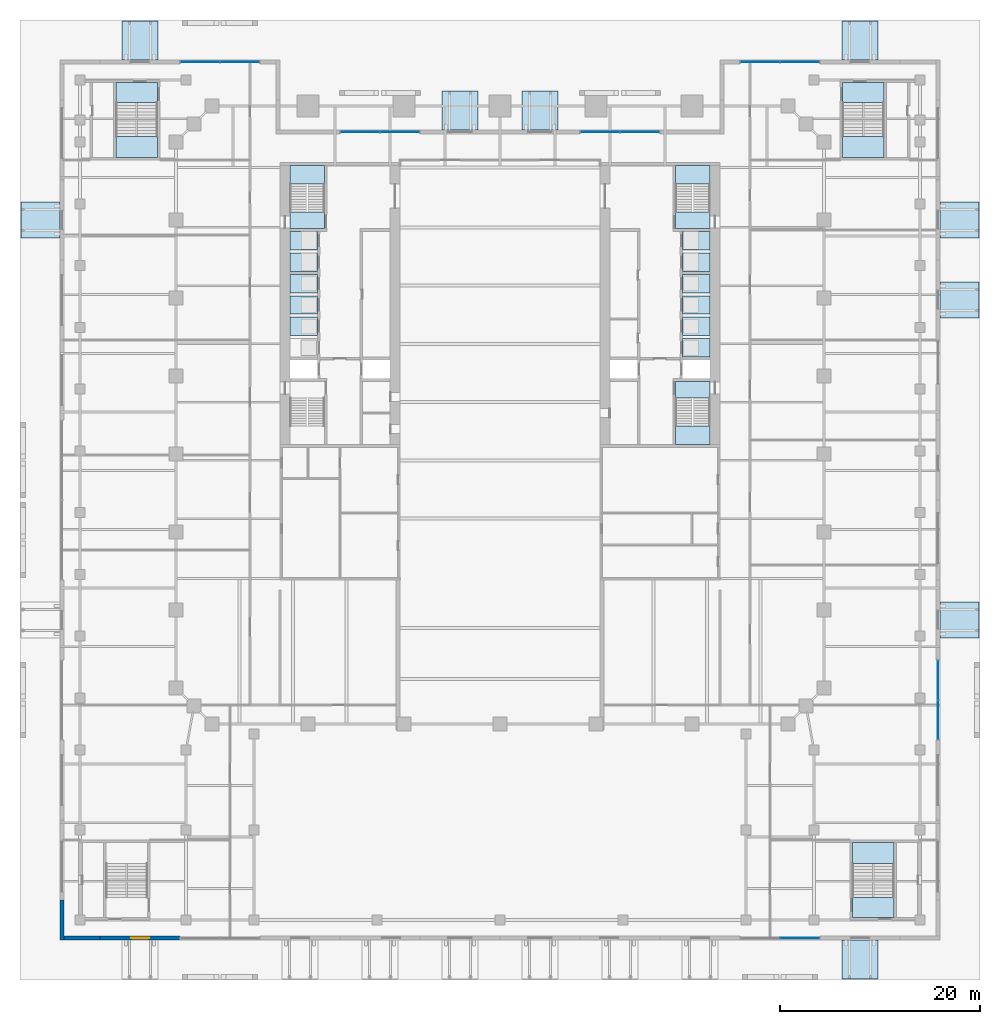
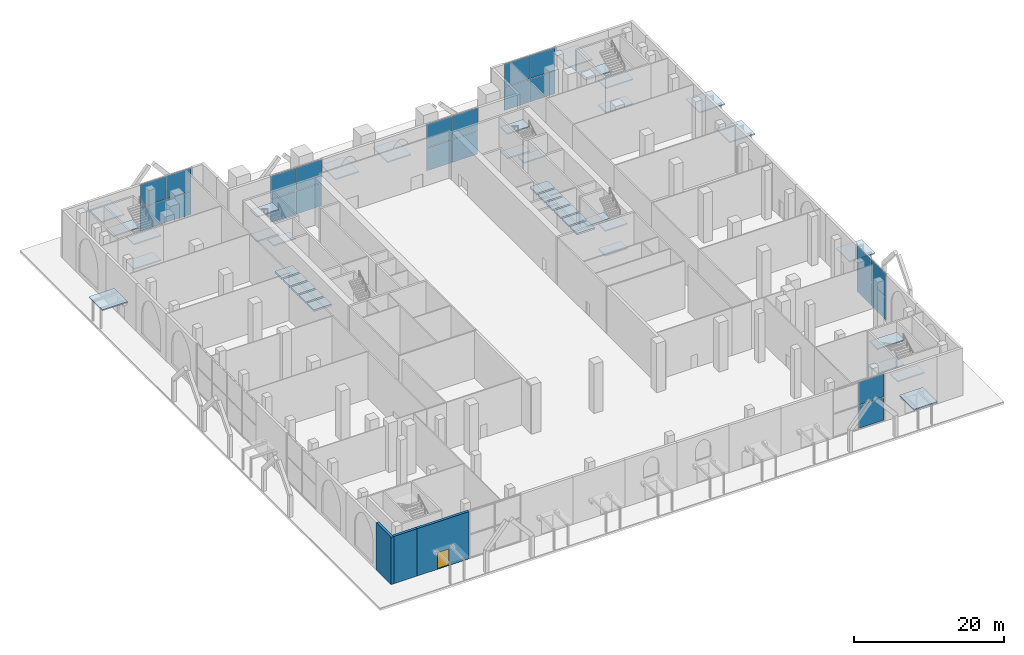
# One storey, part 26 of 38: 38 slabs, 22 plates, 3 walls, 1 door, 1 opening, 12 elements without a shape of their own.
"""IFC4 building model written with IfcOpenShell, lengths in metres."""

from ifc_helpers import new_model, si_unit, direction, frame, frame_2d, origin, origin_2d, place, context, subcontext, project, spatial, polyline, rectangle, outline, extrude, material, layer, layer_set, type_object, element, fill, aggregate, save


model = new_model("IFC4")

# Units and contexts
model_context = context("Model", 3, precision=1e-05, world=origin(), true_north=direction((0.0, 1.0)))
body_context = subcontext(model_context, "Body", "Model", "MODEL_VIEW")
ifc_project = project(units=[si_unit("LENGTHUNIT", "METRE"), si_unit("AREAUNIT", "SQUARE_METRE"), si_unit("VOLUMEUNIT", "CUBIC_METRE"), si_unit("PLANEANGLEUNIT", "RADIAN"), si_unit("MASSUNIT", "GRAM", prefix="KILO")], contexts=[model_context])

# Site, building, storey
site_placement = place(None, origin())
site = spatial("IfcSite", under=ifc_project, at=site_placement, CompositionType="ELEMENT")
building_placement = place(site_placement, origin())
building = spatial("IfcBuilding", under=site, at=building_placement, Name="Ogive Exchange Tower", CompositionType="ELEMENT")
storey_placement = place(building_placement, origin())
storey = spatial("IfcBuildingStorey", under=building, at=storey_placement, Name="L00", CompositionType="ELEMENT", Elevation=0.0)

# Slabs
ifc_material_1 = material(Name="Precast concrete C40/50", Category="concrete")
ifc_layer_1 = layer(ifc_material_1, 0.199951171875)
ifc_layer_set_1 = layer_set([ifc_layer_1], Name="Entrance canopy 200")
slab_type_1 = type_object("IfcSlabType", Name="Entrance canopy 200", PredefinedType="ROOF", material=ifc_layer_set_1)
for number, where, z_axis, x_axis, name in (
    (1, (36.0, -53.949951171875, 3.2998046875), (0.0, 0.0, 1.0), (1.0, 0.0, 0.0), "Entrance canopy 8"),
    (2, (45.949951171875, -20.0, 3.2998046875), (0.0, 0.0, 1.0), (0.0, 1.0, 0.0), "Entrance canopy 9"),
    (3, (45.949951171875, 12.0, 3.2998046875), (0.0, 0.0, 1.0), (0.0, 1.0, 0.0), "Entrance canopy 12"),
    (4, (45.949951171875, 20.0, 3.2998046875), (0.0, 0.0, 1.0), (0.0, 1.0, 0.0), "Entrance canopy 13"),
    (5, (36.0, 37.949951171875, 3.2998046875), (0.0, 0.0, 1.0), (-1.0, 0.0, 0.0), "Entrance canopy 14"),
    (6, (4.0, 30.949951171875, 3.2998046875), (0.0, 0.0, 1.0), (-1.0, 0.0, 0.0), "Entrance canopy 15"),
    (7, (-4.0, 30.949951171875, 3.2998046875), (0.0, 0.0, 1.0), (-1.0, 0.0, 0.0), "Entrance canopy 16"),
    (8, (-36.0, 37.949951171875, 3.2998046875), (0.0, 0.0, 1.0), (-1.0, 0.0, 0.0), "Entrance canopy 17"),
    (9, (-45.949951171875, 20.0, 3.2998046875), (0.0, 0.0, 1.0), (0.0, -1.0, 0.0), "Entrance canopy 18"),
):
    element("IfcSlab", number, at=place(storey_placement, frame(where, z_axis=z_axis, x_axis=x_axis)), inside=storey, type_object=slab_type_1, Name=name, PredefinedType="ROOF", context=body_context, shape_type="SweptSolid", body=[
        extrude(rectangle(XDim=3.60009765625, YDim=3.89990234375, at=origin_2d()), origin(), (0.0, 0.0, 1.0), 0.199951171875),
    ])

# Curtain wall, plates
ifc_material_2 = material(Name="Anodised aluminium and clear glass", Category="aluminium")
curtain_wall_type_1 = type_object("IfcCurtainWallType", Name="Exchange hall glazing", PredefinedType="NOTDEFINED", material=ifc_material_2)
curtain_wall_1_placement = place(storey_placement, origin())
curtain_wall_1 = element("IfcCurtainWall", 10, at=curtain_wall_1_placement, inside=storey, type_object=curtain_wall_type_1, Name="Exchange hall glazing run HG10", PredefinedType="NOTDEFINED")
ifc_material_3 = material(Name="Clear glass", Category="glass")
ifc_layer_2 = layer(ifc_material_3, 0.0439453125)
ifc_layer_set_2 = layer_set([ifc_layer_2], Name="Laminated clear glass panel 44")
plate_type_1 = type_object("IfcPlateType", Name="Laminated clear glass panel 44", PredefinedType="CURTAIN_PANEL", material=ifc_layer_set_2)
plate_1_placement = place(storey_placement, frame((29.9775390625, -51.800048828125, 0.08984375), z_axis=(0.0, 0.0, 1.0), x_axis=(1.0, 0.0, 0.0)))
plate_1 = element("IfcPlate", 11, at=plate_1_placement, type_object=plate_type_1, Name="HG10 panel 2.1", PredefinedType="CURTAIN_PANEL", context=body_context, shape_type="SweptSolid", body=[
    extrude(rectangle(XDim=3.864990234375, YDim=0.0439453125, at=origin_2d()), origin(), (0.0, 0.0, 1.0), 3.715087890625),
])
plate_2_placement = place(storey_placement, frame((29.9775390625, -51.800048828125, 3.89501953125), z_axis=(0.0, 0.0, 1.0), x_axis=(1.0, 0.0, 0.0)))
plate_2 = element("IfcPlate", 12, at=plate_2_placement, type_object=plate_type_1, Name="HG10 panel 2.2", PredefinedType="CURTAIN_PANEL", context=body_context, shape_type="SweptSolid", body=[
    extrude(rectangle(XDim=3.864990234375, YDim=0.0439453125, at=origin_2d()), origin(), (0.0, 0.0, 1.0), 3.715087890625),
])
aggregate(curtain_wall_1, [plate_1, plate_2])

curtain_wall_2_placement = place(storey_placement, origin())
curtain_wall_2 = element("IfcCurtainWall", 13, at=curtain_wall_2_placement, inside=storey, type_object=curtain_wall_type_1, Name="Exchange hall glazing run HG27", PredefinedType="NOTDEFINED")
plate_3_placement = place(storey_placement, frame((29.9775390625, 35.800048828125, 0.08984375), z_axis=(0.0, 0.0, 1.0), x_axis=(-1.0, 0.0, 0.0)))
plate_3 = element("IfcPlate", 14, at=plate_3_placement, type_object=plate_type_1, Name="HG27 panel 1.1", PredefinedType="CURTAIN_PANEL", context=body_context, shape_type="SweptSolid", body=[
    extrude(rectangle(XDim=3.864990234375, YDim=0.0439453125, at=origin_2d()), origin(), (0.0, 0.0, 1.0), 3.715087890625),
])
plate_4_placement = place(storey_placement, frame((29.9775390625, 35.800048828125, 3.89501953125), z_axis=(0.0, 0.0, 1.0), x_axis=(-1.0, 0.0, 0.0)))
plate_4 = element("IfcPlate", 15, at=plate_4_placement, type_object=plate_type_1, Name="HG27 panel 1.2", PredefinedType="CURTAIN_PANEL", context=body_context, shape_type="SweptSolid", body=[
    extrude(rectangle(XDim=3.864990234375, YDim=0.0439453125, at=origin_2d()), origin(), (0.0, 0.0, 1.0), 3.715087890625),
])
plate_5_placement = place(storey_placement, frame((26.0224609375, 35.800048828125, 0.08984375), z_axis=(0.0, 0.0, 1.0), x_axis=(-1.0, 0.0, 0.0)))
plate_5 = element("IfcPlate", 16, at=plate_5_placement, type_object=plate_type_1, Name="HG27 panel 2.1", PredefinedType="CURTAIN_PANEL", context=body_context, shape_type="SweptSolid", body=[
    extrude(rectangle(XDim=3.864990234375, YDim=0.0439453125, at=origin_2d()), origin(), (0.0, 0.0, 1.0), 3.715087890625),
])
plate_6_placement = place(storey_placement, frame((26.0224609375, 35.800048828125, 3.89501953125), z_axis=(0.0, 0.0, 1.0), x_axis=(-1.0, 0.0, 0.0)))
plate_6 = element("IfcPlate", 17, at=plate_6_placement, type_object=plate_type_1, Name="HG27 panel 2.2", PredefinedType="CURTAIN_PANEL", context=body_context, shape_type="SweptSolid", body=[
    extrude(rectangle(XDim=3.864990234375, YDim=0.0439453125, at=origin_2d()), origin(), (0.0, 0.0, 1.0), 3.715087890625),
])
aggregate(curtain_wall_2, [plate_3, plate_4, plate_5, plate_6])

curtain_wall_3_placement = place(storey_placement, origin())
curtain_wall_3 = element("IfcCurtainWall", 18, at=curtain_wall_3_placement, inside=storey, type_object=curtain_wall_type_1, Name="Exchange hall glazing run HG32", PredefinedType="NOTDEFINED")
plate_7_placement = place(storey_placement, frame((13.9775390625, 28.800048828125, 0.08984375), z_axis=(0.0, 0.0, 1.0), x_axis=(-1.0, 0.0, 0.0)))
plate_7 = element("IfcPlate", 19, at=plate_7_placement, type_object=plate_type_1, Name="HG32 panel 1.1", PredefinedType="CURTAIN_PANEL", context=body_context, shape_type="SweptSolid", body=[
    extrude(rectangle(XDim=3.864990234375, YDim=0.0439453125, at=origin_2d()), origin(), (0.0, 0.0, 1.0), 3.715087890625),
])
plate_8_placement = place(storey_placement, frame((13.9775390625, 28.800048828125, 3.89501953125), z_axis=(0.0, 0.0, 1.0), x_axis=(-1.0, 0.0, 0.0)))
plate_8 = element("IfcPlate", 20, at=plate_8_placement, type_object=plate_type_1, Name="HG32 panel 1.2", PredefinedType="CURTAIN_PANEL", context=body_context, shape_type="SweptSolid", body=[
    extrude(rectangle(XDim=3.864990234375, YDim=0.0439453125, at=origin_2d()), origin(), (0.0, 0.0, 1.0), 3.715087890625),
])
plate_9_placement = place(storey_placement, frame((10.0224609375, 28.800048828125, 0.08984375), z_axis=(0.0, 0.0, 1.0), x_axis=(-1.0, 0.0, 0.0)))
plate_9 = element("IfcPlate", 21, at=plate_9_placement, type_object=plate_type_1, Name="HG32 panel 2.1", PredefinedType="CURTAIN_PANEL", context=body_context, shape_type="SweptSolid", body=[
    extrude(rectangle(XDim=3.864990234375, YDim=0.0439453125, at=origin_2d()), origin(), (0.0, 0.0, 1.0), 3.715087890625),
])
plate_10_placement = place(storey_placement, frame((10.0224609375, 28.800048828125, 3.89501953125), z_axis=(0.0, 0.0, 1.0), x_axis=(-1.0, 0.0, 0.0)))
plate_10 = element("IfcPlate", 22, at=plate_10_placement, type_object=plate_type_1, Name="HG32 panel 2.2", PredefinedType="CURTAIN_PANEL", context=body_context, shape_type="SweptSolid", body=[
    extrude(rectangle(XDim=3.864990234375, YDim=0.0439453125, at=origin_2d()), origin(), (0.0, 0.0, 1.0), 3.715087890625),
])
aggregate(curtain_wall_3, [plate_7, plate_8, plate_9, plate_10])

curtain_wall_4_placement = place(storey_placement, origin())
curtain_wall_4 = element("IfcCurtainWall", 23, at=curtain_wall_4_placement, inside=storey, type_object=curtain_wall_type_1, Name="Exchange hall glazing run HG35", PredefinedType="NOTDEFINED")
plate_11_placement = place(storey_placement, frame((-10.0224609375, 28.800048828125, 0.08984375), z_axis=(0.0, 0.0, 1.0), x_axis=(-1.0, 0.0, 0.0)))
plate_11 = element("IfcPlate", 24, at=plate_11_placement, type_object=plate_type_1, Name="HG35 panel 1.1", PredefinedType="CURTAIN_PANEL", context=body_context, shape_type="SweptSolid", body=[
    extrude(rectangle(XDim=3.864990234375, YDim=0.0439453125, at=origin_2d()), origin(), (0.0, 0.0, 1.0), 3.715087890625),
])
plate_12_placement = place(storey_placement, frame((-10.0224609375, 28.800048828125, 3.89501953125), z_axis=(0.0, 0.0, 1.0), x_axis=(-1.0, 0.0, 0.0)))
plate_12 = element("IfcPlate", 25, at=plate_12_placement, type_object=plate_type_1, Name="HG35 panel 1.2", PredefinedType="CURTAIN_PANEL", context=body_context, shape_type="SweptSolid", body=[
    extrude(rectangle(XDim=3.864990234375, YDim=0.0439453125, at=origin_2d()), origin(), (0.0, 0.0, 1.0), 3.715087890625),
])
plate_13_placement = place(storey_placement, frame((-13.9775390625, 28.800048828125, 0.08984375), z_axis=(0.0, 0.0, 1.0), x_axis=(-1.0, 0.0, 0.0)))
plate_13 = element("IfcPlate", 26, at=plate_13_placement, type_object=plate_type_1, Name="HG35 panel 2.1", PredefinedType="CURTAIN_PANEL", context=body_context, shape_type="SweptSolid", body=[
    extrude(rectangle(XDim=3.864990234375, YDim=0.0439453125, at=origin_2d()), origin(), (0.0, 0.0, 1.0), 3.715087890625),
])
plate_14_placement = place(storey_placement, frame((-13.9775390625, 28.800048828125, 3.89501953125), z_axis=(0.0, 0.0, 1.0), x_axis=(-1.0, 0.0, 0.0)))
plate_14 = element("IfcPlate", 27, at=plate_14_placement, type_object=plate_type_1, Name="HG35 panel 2.2", PredefinedType="CURTAIN_PANEL", context=body_context, shape_type="SweptSolid", body=[
    extrude(rectangle(XDim=3.864990234375, YDim=0.0439453125, at=origin_2d()), origin(), (0.0, 0.0, 1.0), 3.715087890625),
])
aggregate(curtain_wall_4, [plate_11, plate_12, plate_13, plate_14])

curtain_wall_5_placement = place(storey_placement, origin())
curtain_wall_5 = element("IfcCurtainWall", 28, at=curtain_wall_5_placement, inside=storey, type_object=curtain_wall_type_1, Name="Exchange hall glazing run HG40", PredefinedType="NOTDEFINED")
plate_15_placement = place(storey_placement, frame((-26.0224609375, 35.800048828125, 0.08984375), z_axis=(0.0, 0.0, 1.0), x_axis=(-1.0, 0.0, 0.0)))
plate_15 = element("IfcPlate", 29, at=plate_15_placement, type_object=plate_type_1, Name="HG40 panel 1.1", PredefinedType="CURTAIN_PANEL", context=body_context, shape_type="SweptSolid", body=[
    extrude(rectangle(XDim=3.864990234375, YDim=0.0439453125, at=origin_2d()), origin(), (0.0, 0.0, 1.0), 3.715087890625),
])
plate_16_placement = place(storey_placement, frame((-26.0224609375, 35.800048828125, 3.89501953125), z_axis=(0.0, 0.0, 1.0), x_axis=(-1.0, 0.0, 0.0)))
plate_16 = element("IfcPlate", 30, at=plate_16_placement, type_object=plate_type_1, Name="HG40 panel 1.2", PredefinedType="CURTAIN_PANEL", context=body_context, shape_type="SweptSolid", body=[
    extrude(rectangle(XDim=3.864990234375, YDim=0.0439453125, at=origin_2d()), origin(), (0.0, 0.0, 1.0), 3.715087890625),
])
plate_17_placement = place(storey_placement, frame((-29.9775390625, 35.800048828125, 0.08984375), z_axis=(0.0, 0.0, 1.0), x_axis=(-1.0, 0.0, 0.0)))
plate_17 = element("IfcPlate", 31, at=plate_17_placement, type_object=plate_type_1, Name="HG40 panel 2.1", PredefinedType="CURTAIN_PANEL", context=body_context, shape_type="SweptSolid", body=[
    extrude(rectangle(XDim=3.864990234375, YDim=0.0439453125, at=origin_2d()), origin(), (0.0, 0.0, 1.0), 3.715087890625),
])
plate_18_placement = place(storey_placement, frame((-29.9775390625, 35.800048828125, 3.89501953125), z_axis=(0.0, 0.0, 1.0), x_axis=(-1.0, 0.0, 0.0)))
plate_18 = element("IfcPlate", 32, at=plate_18_placement, type_object=plate_type_1, Name="HG40 panel 2.2", PredefinedType="CURTAIN_PANEL", context=body_context, shape_type="SweptSolid", body=[
    extrude(rectangle(XDim=3.864990234375, YDim=0.0439453125, at=origin_2d()), origin(), (0.0, 0.0, 1.0), 3.715087890625),
])
aggregate(curtain_wall_5, [plate_15, plate_16, plate_17, plate_18])

# Slabs
ifc_material_4 = material(Name="Concrete C70/85", Category="concrete")
ifc_layer_3 = layer(ifc_material_4, 0.300048828125)
ifc_layer_set_3 = layer_set([ifc_layer_3], Name="Lift pit slab 300")
slab_type_2 = type_object("IfcSlabType", Name="Lift pit slab 300", PredefinedType="BASESLAB", material=ifc_layer_set_3)
slab_1_placement = place(storey_placement, frame((0.0, 0.0, -0.300048828125)))
element("IfcSlab", 33, at=slab_1_placement, inside=storey, type_object=slab_type_2, Name="Lift pit slab W-L2", PredefinedType="BASESLAB", context=body_context, shape_type="SweptSolid", body=[
    extrude(outline(polyline([(-21.0, 8.435791015625), (-18.25, 8.435791015625), (-18.25, 10.278564453125), (-21.0, 10.278564453125), (-21.0, 8.435791015625)])), origin(), (0.0, 0.0, 1.0), 0.300048828125),
])
slab_2_placement = place(storey_placement, frame((0.0, 0.0, -0.300048828125)))
element("IfcSlab", 34, at=slab_2_placement, inside=storey, type_object=slab_type_2, Name="Lift pit slab W-L3", PredefinedType="BASESLAB", context=body_context, shape_type="SweptSolid", body=[
    extrude(outline(polyline([(-21.0, 10.57861328125), (-18.25, 10.57861328125), (-18.25, 12.42138671875), (-21.0, 12.42138671875), (-21.0, 10.57861328125)])), origin(), (0.0, 0.0, 1.0), 0.300048828125),
])
slab_3_placement = place(storey_placement, frame((0.0, 0.0, -0.300048828125)))
element("IfcSlab", 35, at=slab_3_placement, inside=storey, type_object=slab_type_2, Name="Lift pit slab W-L4", PredefinedType="BASESLAB", context=body_context, shape_type="SweptSolid", body=[
    extrude(outline(polyline([(-21.0, 12.721435546875), (-18.25, 12.721435546875), (-18.25, 14.564208984375), (-21.0, 14.564208984375), (-21.0, 12.721435546875)])), origin(), (0.0, 0.0, 1.0), 0.300048828125),
])
slab_4_placement = place(storey_placement, frame((0.0, 0.0, -0.300048828125)))
element("IfcSlab", 36, at=slab_4_placement, inside=storey, type_object=slab_type_2, Name="Lift pit slab W-SH1", PredefinedType="BASESLAB", context=body_context, shape_type="SweptSolid", body=[
    extrude(outline(polyline([(-21.0, 14.8642578125), (-18.25, 14.8642578125), (-18.25, 16.70703125), (-21.0, 16.70703125), (-21.0, 14.8642578125)])), origin(), (0.0, 0.0, 1.0), 0.300048828125),
])
slab_5_placement = place(storey_placement, frame((0.0, 0.0, -0.300048828125)))
element("IfcSlab", 37, at=slab_5_placement, inside=storey, type_object=slab_type_2, Name="Lift pit slab W-SH2", PredefinedType="BASESLAB", context=body_context, shape_type="SweptSolid", body=[
    extrude(outline(polyline([(-21.0, 17.007080078125), (-18.25, 17.007080078125), (-18.25, 18.85009765625), (-21.0, 18.85009765625), (-21.0, 17.007080078125)])), origin(), (0.0, 0.0, 1.0), 0.300048828125),
])
slab_6_placement = place(storey_placement, frame((0.0, 0.0, -0.300048828125)))
element("IfcSlab", 38, at=slab_6_placement, inside=storey, type_object=slab_type_2, Name="Lift pit slab E-L1", PredefinedType="BASESLAB", context=body_context, shape_type="SweptSolid", body=[
    extrude(outline(polyline([(18.25, 6.29296875), (21.0, 6.29296875), (21.0, 8.1357421875), (18.25, 8.1357421875), (18.25, 6.29296875)])), origin(), (0.0, 0.0, 1.0), 0.300048828125),
])
slab_7_placement = place(storey_placement, frame((0.0, 0.0, -0.300048828125)))
element("IfcSlab", 39, at=slab_7_placement, inside=storey, type_object=slab_type_2, Name="Lift pit slab E-L2", PredefinedType="BASESLAB", context=body_context, shape_type="SweptSolid", body=[
    extrude(outline(polyline([(18.25, 8.435791015625), (21.0, 8.435791015625), (21.0, 10.278564453125), (18.25, 10.278564453125), (18.25, 8.435791015625)])), origin(), (0.0, 0.0, 1.0), 0.300048828125),
])
slab_8_placement = place(storey_placement, frame((0.0, 0.0, -0.300048828125)))
element("IfcSlab", 40, at=slab_8_placement, inside=storey, type_object=slab_type_2, Name="Lift pit slab E-L3", PredefinedType="BASESLAB", context=body_context, shape_type="SweptSolid", body=[
    extrude(outline(polyline([(18.25, 10.57861328125), (21.0, 10.57861328125), (21.0, 12.42138671875), (18.25, 12.42138671875), (18.25, 10.57861328125)])), origin(), (0.0, 0.0, 1.0), 0.300048828125),
])
slab_9_placement = place(storey_placement, frame((0.0, 0.0, -0.300048828125)))
element("IfcSlab", 41, at=slab_9_placement, inside=storey, type_object=slab_type_2, Name="Lift pit slab E-L4", PredefinedType="BASESLAB", context=body_context, shape_type="SweptSolid", body=[
    extrude(outline(polyline([(18.25, 12.721435546875), (21.0, 12.721435546875), (21.0, 14.564208984375), (18.25, 14.564208984375), (18.25, 12.721435546875)])), origin(), (0.0, 0.0, 1.0), 0.300048828125),
])
slab_10_placement = place(storey_placement, frame((0.0, 0.0, -0.300048828125)))
element("IfcSlab", 42, at=slab_10_placement, inside=storey, type_object=slab_type_2, Name="Lift pit slab E-SH1", PredefinedType="BASESLAB", context=body_context, shape_type="SweptSolid", body=[
    extrude(outline(polyline([(18.25, 14.8642578125), (21.0, 14.8642578125), (21.0, 16.70703125), (18.25, 16.70703125), (18.25, 14.8642578125)])), origin(), (0.0, 0.0, 1.0), 0.300048828125),
])
slab_11_placement = place(storey_placement, frame((0.0, 0.0, -0.300048828125)))
element("IfcSlab", 43, at=slab_11_placement, inside=storey, type_object=slab_type_2, Name="Lift pit slab E-SH2", PredefinedType="BASESLAB", context=body_context, shape_type="SweptSolid", body=[
    extrude(outline(polyline([(18.25, 17.007080078125), (21.0, 17.007080078125), (21.0, 18.85009765625), (18.25, 18.85009765625), (18.25, 17.007080078125)])), origin(), (0.0, 0.0, 1.0), 0.300048828125),
])

# Stair, slabs
ifc_material_5 = material(Name="Concrete C40/50", Category="concrete")
stair_type_1 = type_object("IfcStairType", Name="Exit stair 1650 wide", PredefinedType="HALF_TURN_STAIR", material=ifc_material_5)
stair_1_placement = place(storey_placement, origin())
stair_1 = element("IfcStair", 44, at=stair_1_placement, inside=storey, type_object=stair_type_1, Name="L00 exit stair ST2", PredefinedType="HALF_TURN_STAIR")
ifc_layer_4 = layer(ifc_material_5, 0.199951171875)
ifc_layer_set_4 = layer_set([ifc_layer_4], Name="Stair landing 200 slab")
slab_type_3 = type_object("IfcSlabType", Name="Stair landing 200 slab", PredefinedType="LANDING", material=ifc_layer_set_4)
slab_12_placement = place(storey_placement, frame((0.0, 0.0, 1.800048828125)))
slab_12 = element("IfcSlab", 45, at=slab_12_placement, type_object=slab_type_3, Name="ST2 landing 1", PredefinedType="LANDING", context=body_context, shape_type="SweptSolid", body=[
    extrude(outline(polyline([(-17.550048828125, 23.60498046875), (-17.550048828125, 25.449951171875), (-21.0, 25.449951171875), (-21.0, 23.60498046875), (-17.550048828125, 23.60498046875)])), origin(), (0.0, 0.0, 1.0), 0.199951171875),
])
slab_13_placement = place(storey_placement, frame((0.0, 0.0, 3.800048828125)))
slab_13 = element("IfcSlab", 46, at=slab_13_placement, type_object=slab_type_3, Name="ST2 landing 2", PredefinedType="LANDING", context=body_context, shape_type="SweptSolid", body=[
    extrude(outline(polyline([(-17.550048828125, 19.14990234375), (-17.550048828125, 20.800048828125), (-21.0, 20.800048828125), (-21.0, 19.14990234375), (-17.550048828125, 19.14990234375)])), origin(), (0.0, 0.0, 1.0), 0.199951171875),
])
slab_14_placement = place(storey_placement, frame((0.0, 0.0, 5.800048828125)))
slab_14 = element("IfcSlab", 47, at=slab_14_placement, type_object=slab_type_3, Name="ST2 landing 3", PredefinedType="LANDING", context=body_context, shape_type="SweptSolid", body=[
    extrude(outline(polyline([(-17.550048828125, 23.60498046875), (-17.550048828125, 25.449951171875), (-21.0, 25.449951171875), (-21.0, 23.60498046875), (-17.550048828125, 23.60498046875)])), origin(), (0.0, 0.0, 1.0), 0.199951171875),
])
aggregate(stair_1, [slab_12, slab_13, slab_14])

stair_2_placement = place(storey_placement, origin())
stair_2 = element("IfcStair", 48, at=stair_2_placement, inside=storey, type_object=stair_type_1, Name="L00 exit stair ST3", PredefinedType="HALF_TURN_STAIR")
slab_15_placement = place(storey_placement, frame((0.0, 0.0, 1.800048828125)))
slab_15 = element("IfcSlab", 49, at=slab_15_placement, type_object=slab_type_3, Name="ST3 landing 1", PredefinedType="LANDING", context=body_context, shape_type="SweptSolid", body=[
    extrude(outline(polyline([(17.550048828125, -0.60498046875), (17.550048828125, -2.449951171875), (21.0, -2.449951171875), (21.0, -0.60498046875), (17.550048828125, -0.60498046875)])), origin(), (0.0, 0.0, 1.0), 0.199951171875),
])
slab_16_placement = place(storey_placement, frame((0.0, 0.0, 3.800048828125)))
slab_16 = element("IfcSlab", 50, at=slab_16_placement, type_object=slab_type_3, Name="ST3 landing 2", PredefinedType="LANDING", context=body_context, shape_type="SweptSolid", body=[
    extrude(outline(polyline([(17.550048828125, 3.85009765625), (17.550048828125, 2.199951171875), (21.0, 2.199951171875), (21.0, 3.85009765625), (17.550048828125, 3.85009765625)])), origin(), (0.0, 0.0, 1.0), 0.199951171875),
])
slab_17_placement = place(storey_placement, frame((0.0, 0.0, 5.800048828125)))
slab_17 = element("IfcSlab", 51, at=slab_17_placement, type_object=slab_type_3, Name="ST3 landing 3", PredefinedType="LANDING", context=body_context, shape_type="SweptSolid", body=[
    extrude(outline(polyline([(17.550048828125, -0.60498046875), (17.550048828125, -2.449951171875), (21.0, -2.449951171875), (21.0, -0.60498046875), (17.550048828125, -0.60498046875)])), origin(), (0.0, 0.0, 1.0), 0.199951171875),
])
aggregate(stair_2, [slab_15, slab_16, slab_17])

stair_3_placement = place(storey_placement, origin())
stair_3 = element("IfcStair", 52, at=stair_3_placement, inside=storey, type_object=stair_type_1, Name="L00 exit stair ST4", PredefinedType="HALF_TURN_STAIR")
slab_18_placement = place(storey_placement, frame((0.0, 0.0, 1.800048828125)))
slab_18 = element("IfcSlab", 53, at=slab_18_placement, type_object=slab_type_3, Name="ST4 landing 1", PredefinedType="LANDING", context=body_context, shape_type="SweptSolid", body=[
    extrude(outline(polyline([(21.0, 23.60498046875), (21.0, 25.449951171875), (17.550048828125, 25.449951171875), (17.550048828125, 23.60498046875), (21.0, 23.60498046875)])), origin(), (0.0, 0.0, 1.0), 0.199951171875),
])
slab_19_placement = place(storey_placement, frame((0.0, 0.0, 3.800048828125)))
slab_19 = element("IfcSlab", 54, at=slab_19_placement, type_object=slab_type_3, Name="ST4 landing 2", PredefinedType="LANDING", context=body_context, shape_type="SweptSolid", body=[
    extrude(outline(polyline([(21.0, 19.14990234375), (21.0, 20.800048828125), (17.550048828125, 20.800048828125), (17.550048828125, 19.14990234375), (21.0, 19.14990234375)])), origin(), (0.0, 0.0, 1.0), 0.199951171875),
])
slab_20_placement = place(storey_placement, frame((0.0, 0.0, 5.800048828125)))
slab_20 = element("IfcSlab", 55, at=slab_20_placement, type_object=slab_type_3, Name="ST4 landing 3", PredefinedType="LANDING", context=body_context, shape_type="SweptSolid", body=[
    extrude(outline(polyline([(21.0, 23.60498046875), (21.0, 25.449951171875), (17.550048828125, 25.449951171875), (17.550048828125, 23.60498046875), (21.0, 23.60498046875)])), origin(), (0.0, 0.0, 1.0), 0.199951171875),
])
aggregate(stair_3, [slab_18, slab_19, slab_20])

stair_type_2 = type_object("IfcStairType", Name="Exit stair 2000 wide", PredefinedType="HALF_TURN_STAIR", material=ifc_material_5)
stair_4_placement = place(storey_placement, origin())
stair_4 = element("IfcStair", 56, at=stair_4_placement, inside=storey, type_object=stair_type_2, Name="L00 exit stair PS2", PredefinedType="HALF_TURN_STAIR")
slab_21_placement = place(storey_placement, frame((0.0, 0.0, 1.800048828125)))
slab_21 = element("IfcSlab", 57, at=slab_21_placement, type_object=slab_type_3, Name="PS2 landing 1", PredefinedType="LANDING", context=body_context, shape_type="SweptSolid", body=[
    extrude(outline(polyline([(39.39990234375, -44.340087890625), (39.39990234375, -42.25), (35.25, -42.25), (35.25, -44.340087890625), (39.39990234375, -44.340087890625)])), origin(), (0.0, 0.0, 1.0), 0.199951171875),
])
slab_22_placement = place(storey_placement, frame((0.0, 0.0, 3.800048828125)))
slab_22 = element("IfcSlab", 58, at=slab_22_placement, type_object=slab_type_3, Name="PS2 landing 2", PredefinedType="LANDING", context=body_context, shape_type="SweptSolid", body=[
    extrude(outline(polyline([(39.39990234375, -49.75), (39.39990234375, -47.75), (35.25, -47.75), (35.25, -49.75), (39.39990234375, -49.75)])), origin(), (0.0, 0.0, 1.0), 0.199951171875),
])
slab_23_placement = place(storey_placement, frame((0.0, 0.0, 5.800048828125)))
slab_23 = element("IfcSlab", 59, at=slab_23_placement, type_object=slab_type_3, Name="PS2 landing 3", PredefinedType="LANDING", context=body_context, shape_type="SweptSolid", body=[
    extrude(outline(polyline([(39.39990234375, -44.340087890625), (39.39990234375, -42.25), (35.25, -42.25), (35.25, -44.340087890625), (39.39990234375, -44.340087890625)])), origin(), (0.0, 0.0, 1.0), 0.199951171875),
])
aggregate(stair_4, [slab_21, slab_22, slab_23])

stair_5_placement = place(storey_placement, origin())
stair_5 = element("IfcStair", 60, at=stair_5_placement, inside=storey, type_object=stair_type_2, Name="L00 exit stair PS3", PredefinedType="HALF_TURN_STAIR")
slab_24_placement = place(storey_placement, frame((0.0, 0.0, 1.800048828125)))
slab_24 = element("IfcSlab", 61, at=slab_24_placement, type_object=slab_type_3, Name="PS3 landing 1", PredefinedType="LANDING", context=body_context, shape_type="SweptSolid", body=[
    extrude(outline(polyline([(-38.39990234375, 28.340087890625), (-38.39990234375, 26.25), (-34.25, 26.25), (-34.25, 28.340087890625), (-38.39990234375, 28.340087890625)])), origin(), (0.0, 0.0, 1.0), 0.199951171875),
])
slab_25_placement = place(storey_placement, frame((0.0, 0.0, 3.800048828125)))
slab_25 = element("IfcSlab", 62, at=slab_25_placement, type_object=slab_type_3, Name="PS3 landing 2", PredefinedType="LANDING", context=body_context, shape_type="SweptSolid", body=[
    extrude(outline(polyline([(-38.39990234375, 33.75), (-38.39990234375, 31.75), (-34.25, 31.75), (-34.25, 33.75), (-38.39990234375, 33.75)])), origin(), (0.0, 0.0, 1.0), 0.199951171875),
])
slab_26_placement = place(storey_placement, frame((0.0, 0.0, 5.800048828125)))
slab_26 = element("IfcSlab", 63, at=slab_26_placement, type_object=slab_type_3, Name="PS3 landing 3", PredefinedType="LANDING", context=body_context, shape_type="SweptSolid", body=[
    extrude(outline(polyline([(-38.39990234375, 28.340087890625), (-38.39990234375, 26.25), (-34.25, 26.25), (-34.25, 28.340087890625), (-38.39990234375, 28.340087890625)])), origin(), (0.0, 0.0, 1.0), 0.199951171875),
])
aggregate(stair_5, [slab_24, slab_25, slab_26])

stair_6_placement = place(storey_placement, origin())
stair_6 = element("IfcStair", 64, at=stair_6_placement, inside=storey, type_object=stair_type_2, Name="L00 exit stair PS4", PredefinedType="HALF_TURN_STAIR")
slab_27_placement = place(storey_placement, frame((0.0, 0.0, 1.800048828125)))
slab_27 = element("IfcSlab", 65, at=slab_27_placement, type_object=slab_type_3, Name="PS4 landing 1", PredefinedType="LANDING", context=body_context, shape_type="SweptSolid", body=[
    extrude(outline(polyline([(34.25, 28.340087890625), (34.25, 26.25), (38.39990234375, 26.25), (38.39990234375, 28.340087890625), (34.25, 28.340087890625)])), origin(), (0.0, 0.0, 1.0), 0.199951171875),
])
slab_28_placement = place(storey_placement, frame((0.0, 0.0, 3.800048828125)))
slab_28 = element("IfcSlab", 66, at=slab_28_placement, type_object=slab_type_3, Name="PS4 landing 2", PredefinedType="LANDING", context=body_context, shape_type="SweptSolid", body=[
    extrude(outline(polyline([(34.25, 33.75), (34.25, 31.75), (38.39990234375, 31.75), (38.39990234375, 33.75), (34.25, 33.75)])), origin(), (0.0, 0.0, 1.0), 0.199951171875),
])
slab_29_placement = place(storey_placement, frame((0.0, 0.0, 5.800048828125)))
slab_29 = element("IfcSlab", 67, at=slab_29_placement, type_object=slab_type_3, Name="PS4 landing 3", PredefinedType="LANDING", context=body_context, shape_type="SweptSolid", body=[
    extrude(outline(polyline([(34.25, 28.340087890625), (34.25, 26.25), (38.39990234375, 26.25), (38.39990234375, 28.340087890625), (34.25, 28.340087890625)])), origin(), (0.0, 0.0, 1.0), 0.199951171875),
])
aggregate(stair_6, [slab_27, slab_28, slab_29])

# Curtain wall, plates
curtain_wall_type_2 = type_object("IfcCurtainWallType", Name="Podium arcade glazing", PredefinedType="NOTDEFINED", material=ifc_material_2)
curtain_wall_6_placement = place(storey_placement, origin())
curtain_wall_6 = element("IfcCurtainWall", 68, at=curtain_wall_6_placement, inside=storey, type_object=curtain_wall_type_2, Name="Podium arcade glazing run AG16", PredefinedType="NOTDEFINED")
ifc_layer_5 = layer(ifc_material_3, 0.028076171875)
ifc_layer_set_5 = layer_set([ifc_layer_5], Name="Toughened clear glass panel 28")
plate_type_2 = type_object("IfcPlateType", Name="Toughened clear glass panel 28", PredefinedType="CURTAIN_PANEL", material=ifc_layer_set_5)
plate_19_placement = place(storey_placement, frame((43.800048828125, -29.985107421875, 0.06005859375), z_axis=(0.0, 0.0, 1.0), x_axis=(0.0, 1.0, 0.0)))
plate_19 = element("IfcPlate", 69, at=plate_19_placement, type_object=plate_type_2, Name="AG16 panel 1.1", PredefinedType="CURTAIN_PANEL", context=body_context, shape_type="SweptSolid", body=[
    extrude(rectangle(XDim=3.909912109375, YDim=0.028076171875, at=origin_2d()), origin(), (0.0, 0.0, 1.0), 3.760009765625),
])
plate_20_placement = place(storey_placement, frame((43.800048828125, -29.985107421875, 3.8798828125), z_axis=(0.0, 0.0, 1.0), x_axis=(0.0, 1.0, 0.0)))
plate_20 = element("IfcPlate", 70, at=plate_20_placement, type_object=plate_type_2, Name="AG16 panel 1.2", PredefinedType="CURTAIN_PANEL", context=body_context, shape_type="SweptSolid", body=[
    extrude(rectangle(XDim=3.909912109375, YDim=0.028076171875, at=origin_2d()), origin(), (0.0, 0.0, 1.0), 3.760009765625),
])
plate_21_placement = place(storey_placement, frame((43.800048828125, -26.014892578125, 0.06005859375), z_axis=(0.0, 0.0, 1.0), x_axis=(0.0, 1.0, 0.0)))
plate_21 = element("IfcPlate", 71, at=plate_21_placement, type_object=plate_type_2, Name="AG16 panel 2.1", PredefinedType="CURTAIN_PANEL", context=body_context, shape_type="SweptSolid", body=[
    extrude(rectangle(XDim=3.909912109375, YDim=0.028076171875, at=origin_2d()), origin(), (0.0, 0.0, 1.0), 3.760009765625),
])
plate_22_placement = place(storey_placement, frame((43.800048828125, -26.014892578125, 3.8798828125), z_axis=(0.0, 0.0, 1.0), x_axis=(0.0, 1.0, 0.0)))
plate_22 = element("IfcPlate", 72, at=plate_22_placement, type_object=plate_type_2, Name="AG16 panel 2.2", PredefinedType="CURTAIN_PANEL", context=body_context, shape_type="SweptSolid", body=[
    extrude(rectangle(XDim=3.909912109375, YDim=0.028076171875, at=origin_2d()), origin(), (0.0, 0.0, 1.0), 3.760009765625),
])
aggregate(curtain_wall_6, [plate_19, plate_20, plate_21, plate_22])

# Wall
ifc_layer_6 = layer(ifc_material_1, 0.39990234375)
ifc_layer_set_6 = layer_set([ifc_layer_6], Name="Limestone-faced wall 400")
wall_type = type_object("IfcWallType", Name="Limestone-faced wall 400", PredefinedType="STANDARD", material=ifc_layer_set_6)
wall_1_placement = place(storey_placement, frame((-43.60009765625, -51.800048828125, 0.0), z_axis=(0.0, 0.0, 1.0), x_axis=(1.0, 0.0, 0.0)))
element("IfcWall", 73, at=wall_1_placement, inside=storey, type_object=wall_type, Name="Podium wall S1", PredefinedType="STANDARD", context=body_context, shape_type="SweptSolid", body=[
    extrude(rectangle(XDim=3.60009765625, YDim=0.39990234375, at=frame_2d((1.800048828125, 0.0))), origin(), (0.0, 0.0, 1.0), 7.699951171875),
])

# Wall, opening, door
wall_2_placement = place(storey_placement, frame((-40.0, -51.800048828125, 0.0), z_axis=(0.0, 0.0, 1.0), x_axis=(1.0, 0.0, 0.0)))
wall_2 = element("IfcWall", 74, at=wall_2_placement, inside=storey, type_object=wall_type, Name="Podium wall S2", PredefinedType="STANDARD", context=body_context, shape_type="SweptSolid", body=[
    extrude(rectangle(XDim=8.0, YDim=0.39990234375, at=frame_2d((4.0, 0.0))), origin(), (0.0, 0.0, 1.0), 7.699951171875),
])
opening_placement = place(wall_2_placement, frame((3.10009765625, 0.0, 0.0)))
opening = element("IfcOpeningElement", 75, at=opening_placement, cuts=wall_2, Name="Opening L00-E01", PredefinedType="OPENING", context=body_context, shape_type="SweptSolid", body=[
    extrude(rectangle(XDim=1.800048828125, YDim=2.699951171875, at=frame_2d((0.89990234375, 1.35009765625))), frame((0.0, 0.2099609375, 0.0), z_axis=(0.0, -1.0, 0.0), x_axis=(1.0, 0.0, 0.0)), (0.0, 0.0, 1.0), 0.419921875),
])
ifc_material_6 = material(Name="Steel and glass", Category="steel")
door_type = type_object("IfcDoorType", Name="Exit door 1800 x 2700", OperationType="DOUBLE_DOOR_SINGLE_SWING", PredefinedType="DOOR", material=ifc_material_6)
door_placement = place(opening_placement, frame((1.800048828125, 0.0, 0.0), z_axis=(0.0, 0.0, 1.0), x_axis=(-1.0, 0.0, 0.0)))
door = element("IfcDoor", 76, at=door_placement, inside=storey, type_object=door_type, Name="Exit door X1", ObjectType="XD1", OperationType="DOUBLE_DOOR_SINGLE_SWING", OverallHeight=2.699951171875, OverallWidth=1.800048828125, PredefinedType="DOOR", context=body_context, shape_type="SweptSolid", body=[
    extrude(rectangle(XDim=1.800048828125, YDim=2.699951171875, at=frame_2d((0.89990234375, 1.35009765625))), frame((0.0, 0.02490234375, 0.0), z_axis=(0.0, -1.0, 0.0), x_axis=(1.0, 0.0, 0.0)), (0.0, 0.0, 1.0), 0.050048828125),
])
fill(opening, door)

# Wall
wall_3_placement = place(storey_placement, frame((-43.800048828125, -48.0, 0.0), z_axis=(0.0, 0.0, 1.0), x_axis=(0.0, -1.0, 0.0)))
element("IfcWall", 77, at=wall_3_placement, inside=storey, type_object=wall_type, Name="Podium wall W12", PredefinedType="STANDARD", context=body_context, shape_type="SweptSolid", body=[
    extrude(rectangle(XDim=4.0, YDim=0.39990234375, at=frame_2d((2.0, 0.0))), origin(), (0.0, 0.0, 1.0), 7.699951171875),
])

save(model, "model.ifc")
